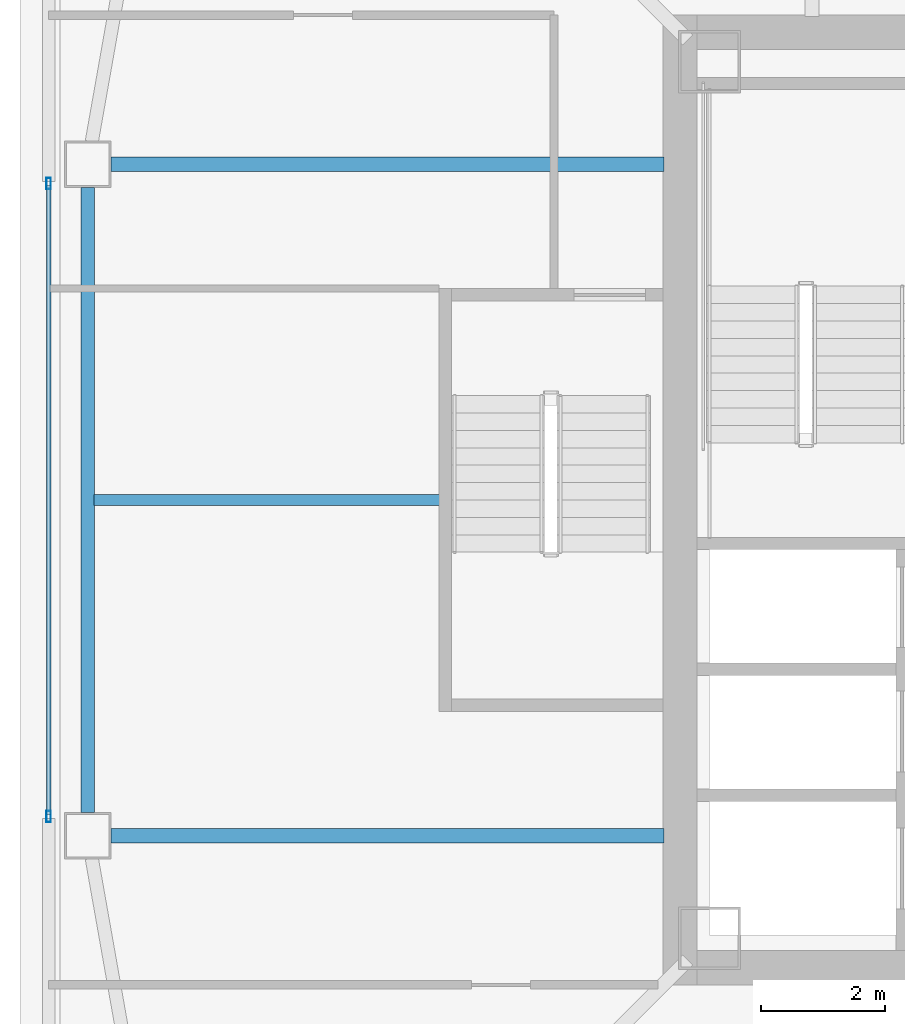
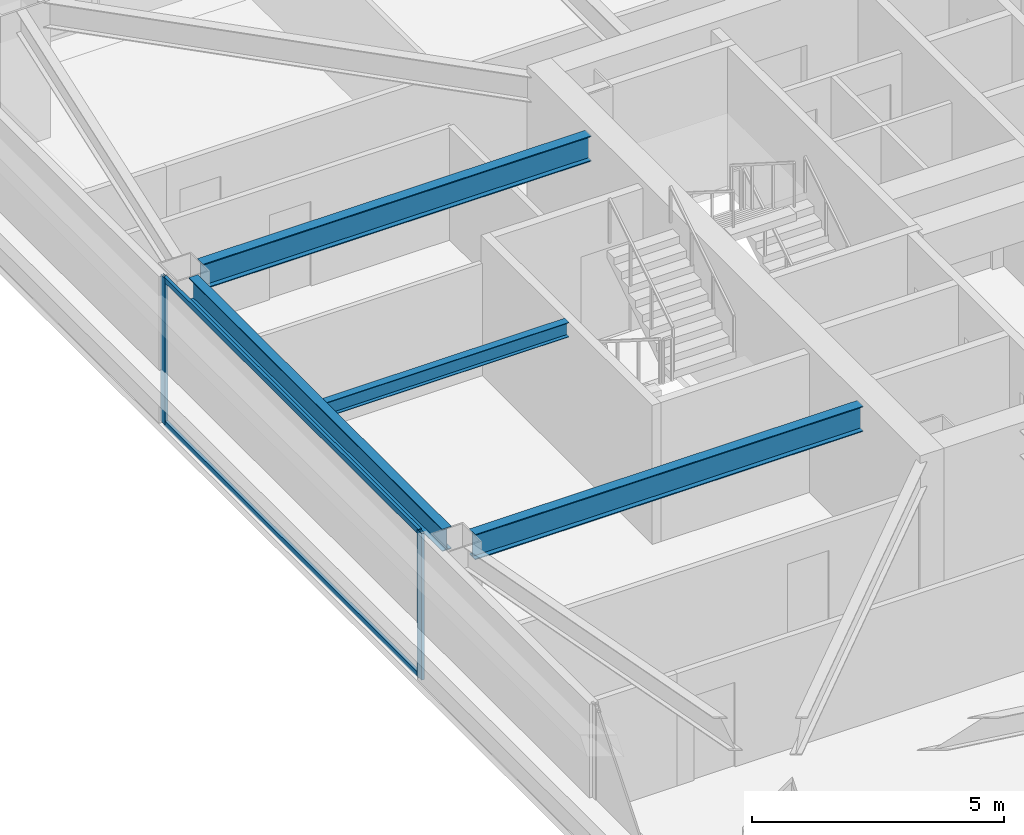
# One storey, part 7 of 41: 4 beams, 4 members, 1 element without a shape of its own.
"""IFC4 building model written with IfcOpenShell, lengths in metres."""

from ifc_helpers import new_model, si_unit, direction, frame, origin, origin_2d, place, context, subcontext, project, spatial, hollow_rectangle, i_section, extrude, material, material_profile, profile_set, type_object, element, aggregate, save


model = new_model("IFC4")

# Units and contexts
model_context = context("Model", 3, precision=1e-05, world=origin(), true_north=direction((0.0, 1.0)))
body_context = subcontext(model_context, "Body", "Model", "MODEL_VIEW")
ifc_project = project(units=[si_unit("LENGTHUNIT", "METRE"), si_unit("AREAUNIT", "SQUARE_METRE"), si_unit("VOLUMEUNIT", "CUBIC_METRE"), si_unit("PLANEANGLEUNIT", "RADIAN"), si_unit("MASSUNIT", "GRAM", prefix="KILO")], contexts=[model_context])

# Site, building, storey
site_placement = place(None, origin())
site = spatial("IfcSite", under=ifc_project, at=site_placement, CompositionType="ELEMENT")
building_placement = place(site_placement, origin())
building = spatial("IfcBuilding", under=site, at=building_placement, Name="Tashvorn Skyway Center", CompositionType="ELEMENT")
storey_placement = place(building_placement, frame((0.0, 0.0, 174.75)))
storey = spatial("IfcBuildingStorey", under=building, at=storey_placement, Name="L47", CompositionType="ELEMENT", Elevation=174.75)

# Beams
ifc_material_1 = material(Name="Steel ASTM A992 Grade 50", Category="steel")
ifc_material_profile_1 = material_profile(ifc_material_1, i_section(OverallWidth=0.22998046875, OverallDepth=0.616943359375, WebThickness=0.01318359375, FlangeThickness=0.022216796875, at=origin_2d()), Name="W24X94")
ifc_profile_set_1 = profile_set([ifc_material_profile_1], Name="Steel ASTM A992 Grade 50")
beam_type_1 = type_object("IfcBeamType", Name="BM-BEAM-W24X94", PredefinedType="BEAM", material=ifc_profile_set_1)
for number, where, z_axis, x_axis, name in (
    (1, (25.320068359375, 37.39990234375, 3.0615234375), (1.0, 0.0, 0.0), (0.0, 1.0, 0.0), "Tower 1 L47 Primary Floor Girder FC-W1"),
    (2, (25.320068359375, 26.60009765625, 3.0615234375), (1.0, 0.0, 0.0), (0.0, 1.0, 0.0), "Tower 1 L47 Primary Floor Girder FC-W2"),
):
    element("IfcBeam", number, at=place(storey_placement, frame(where, z_axis=z_axis, x_axis=x_axis)), inside=storey, type_object=beam_type_1, Name=name, PredefinedType="BEAM", context=body_context, shape_type="SweptSolid", body=[
        extrude(i_section(OverallWidth=0.22998046875, OverallDepth=0.616943359375, WebThickness=0.01318359375, FlangeThickness=0.022216796875, at=origin_2d()), origin(), (0.0, 0.0, 1.0), 8.89990234375),
    ])
ifc_material_profile_2 = material_profile(ifc_material_1, i_section(OverallWidth=0.1708984375, OverallDepth=0.35498046875, WebThickness=0.007080078125, FlangeThickness=0.01171875, at=origin_2d()), Name="W14X34")
ifc_profile_set_2 = profile_set([ifc_material_profile_2], Name="Steel ASTM A992 Grade 50")
beam_type_2 = type_object("IfcBeamType", Name="BM-JOIST-W14X34", PredefinedType="JOIST", material=ifc_profile_set_2)
beam_1_placement = place(storey_placement, frame((30.610107421875, 32.0, 3.1923828125), z_axis=(-1.0, 0.0, 0.0), x_axis=(0.0, -1.0, 0.0)))
element("IfcBeam", 3, at=beam_1_placement, inside=storey, type_object=beam_type_2, Name="Tower 1 L47 Secondary Composite Joist JW", PredefinedType="JOIST", context=body_context, shape_type="SweptSolid", body=[
    extrude(i_section(OverallWidth=0.1708984375, OverallDepth=0.35498046875, WebThickness=0.007080078125, FlangeThickness=0.01171875, at=origin_2d()), origin(), (0.0, 0.0, 1.0), 5.5625),
])
ifc_material_profile_3 = material_profile(ifc_material_1, i_section(OverallWidth=0.2109375, OverallDepth=0.5390625, WebThickness=0.01171875, FlangeThickness=0.018798828125, at=origin_2d()), Name="W21X73")
ifc_profile_set_3 = profile_set([ifc_material_profile_3], Name="Steel ASTM A992 Grade 50")
beam_type_3 = type_object("IfcBeamType", Name="BM-SPANDREL-W21X73", PredefinedType="SPANDREL", material=ifc_profile_set_3)
beam_2_placement = place(storey_placement, frame((24.949951171875, 37.030029296875, 3.1005859375), z_axis=(0.0, -1.0, 0.0), x_axis=(1.0, 0.0, 0.0)))
element("IfcBeam", 4, at=beam_2_placement, inside=storey, type_object=beam_type_3, Name="Tower 1 L47 Spandrel Beam 11", PredefinedType="SPANDREL", context=body_context, shape_type="SweptSolid", body=[
    extrude(i_section(OverallWidth=0.2109375, OverallDepth=0.5390625, WebThickness=0.01171875, FlangeThickness=0.018798828125, at=origin_2d()), origin(), (0.0, 0.0, 1.0), 10.06005859375),
])

# Curtain wall, members
ifc_material_2 = material(Name="Thermally broken bronze-anodized aluminium 6063-T6", Category="aluminium")
curtain_wall_type = type_object("IfcCurtainWallType", Name="CW-CW-Z4", PredefinedType="NOTDEFINED", material=ifc_material_2)
curtain_wall_placement = place(storey_placement, origin())
curtain_wall = element("IfcCurtainWall", 5, at=curtain_wall_placement, inside=storey, type_object=curtain_wall_type, Name="Tower 1 L47 West Unitised Curtain Wall Glazing Group 2", PredefinedType="NOTDEFINED")
ifc_material_profile_4 = material_profile(ifc_material_2, hollow_rectangle(XDim=0.070068359375, YDim=0.179931640625, WallThickness=0.00390625, at=origin_2d()), Name="ALU-MULL-70x180")
ifc_profile_set_4 = profile_set([ifc_material_profile_4], Name="Thermally broken bronze-anodized aluminium 6063-T6")
member_type_1 = type_object("IfcMemberType", Name="CWM-CW-Z4", PredefinedType="MULLION", material=ifc_profile_set_4)
member_1_placement = place(storey_placement, frame((24.320068359375, 26.908203125, 0.0), z_axis=(0.0, 0.0, 1.0), x_axis=(-1.0, 0.0, 0.0)))
member_1 = element("IfcMember", 6, at=member_1_placement, type_object=member_type_1, Name="CW-Z4 mullion 1", PredefinedType="MULLION", context=body_context, shape_type="SweptSolid", body=[
    extrude(hollow_rectangle(XDim=0.070068359375, YDim=0.179931640625, WallThickness=0.00390625, at=origin_2d()), origin(), (0.0, 0.0, 1.0), 3.550048828125),
])
member_2_placement = place(storey_placement, frame((24.320068359375, 37.091796875, 0.0), z_axis=(0.0, 0.0, 1.0), x_axis=(-1.0, 0.0, 0.0)))
member_2 = element("IfcMember", 7, at=member_2_placement, type_object=member_type_1, Name="CW-Z4 mullion 2", PredefinedType="MULLION", context=body_context, shape_type="SweptSolid", body=[
    extrude(hollow_rectangle(XDim=0.070068359375, YDim=0.179931640625, WallThickness=0.00390625, at=origin_2d()), origin(), (0.0, 0.0, 1.0), 3.550048828125),
])
ifc_material_profile_5 = material_profile(ifc_material_2, hollow_rectangle(XDim=0.070068359375, YDim=0.1298828125, WallThickness=0.00390625, at=origin_2d()), Name="ALU-TRAN-70x130")
ifc_profile_set_5 = profile_set([ifc_material_profile_5], Name="Thermally broken bronze-anodized aluminium 6063-T6")
member_type_2 = type_object("IfcMemberType", Name="CWT-CW-Z4", PredefinedType="USERDEFINED", material=ifc_profile_set_5)
member_3_placement = place(storey_placement, frame((24.320068359375, 26.943359375, 0.034912109375), z_axis=(0.0, 1.0, 0.0), x_axis=(-1.0, 0.0, 0.0)))
member_3 = element("IfcMember", 8, at=member_3_placement, type_object=member_type_2, Name="CW-Z4 transom 1.1", ObjectType="TRANSOM", PredefinedType="USERDEFINED", context=body_context, shape_type="SweptSolid", body=[
    extrude(hollow_rectangle(XDim=0.070068359375, YDim=0.1298828125, WallThickness=0.00390625, at=origin_2d()), origin(), (0.0, 0.0, 1.0), 10.11328125),
])
member_4_placement = place(storey_placement, frame((24.320068359375, 26.943359375, 3.514892578125), z_axis=(0.0, 1.0, 0.0), x_axis=(-1.0, 0.0, 0.0)))
member_4 = element("IfcMember", 9, at=member_4_placement, type_object=member_type_2, Name="CW-Z4 transom 1.2", ObjectType="TRANSOM", PredefinedType="USERDEFINED", context=body_context, shape_type="SweptSolid", body=[
    extrude(hollow_rectangle(XDim=0.070068359375, YDim=0.1298828125, WallThickness=0.00390625, at=origin_2d()), origin(), (0.0, 0.0, 1.0), 10.11328125),
])
aggregate(curtain_wall, [member_1, member_2, member_3, member_4])

save(model, "model.ifc")
